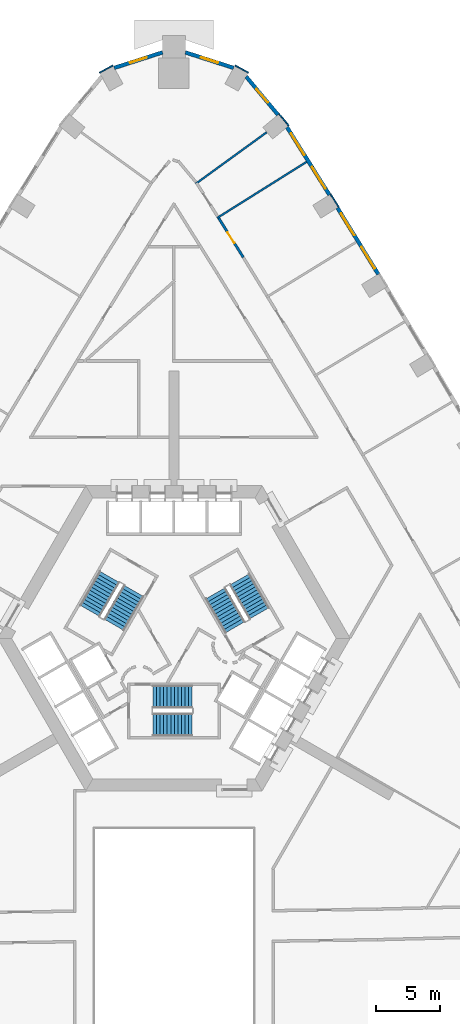
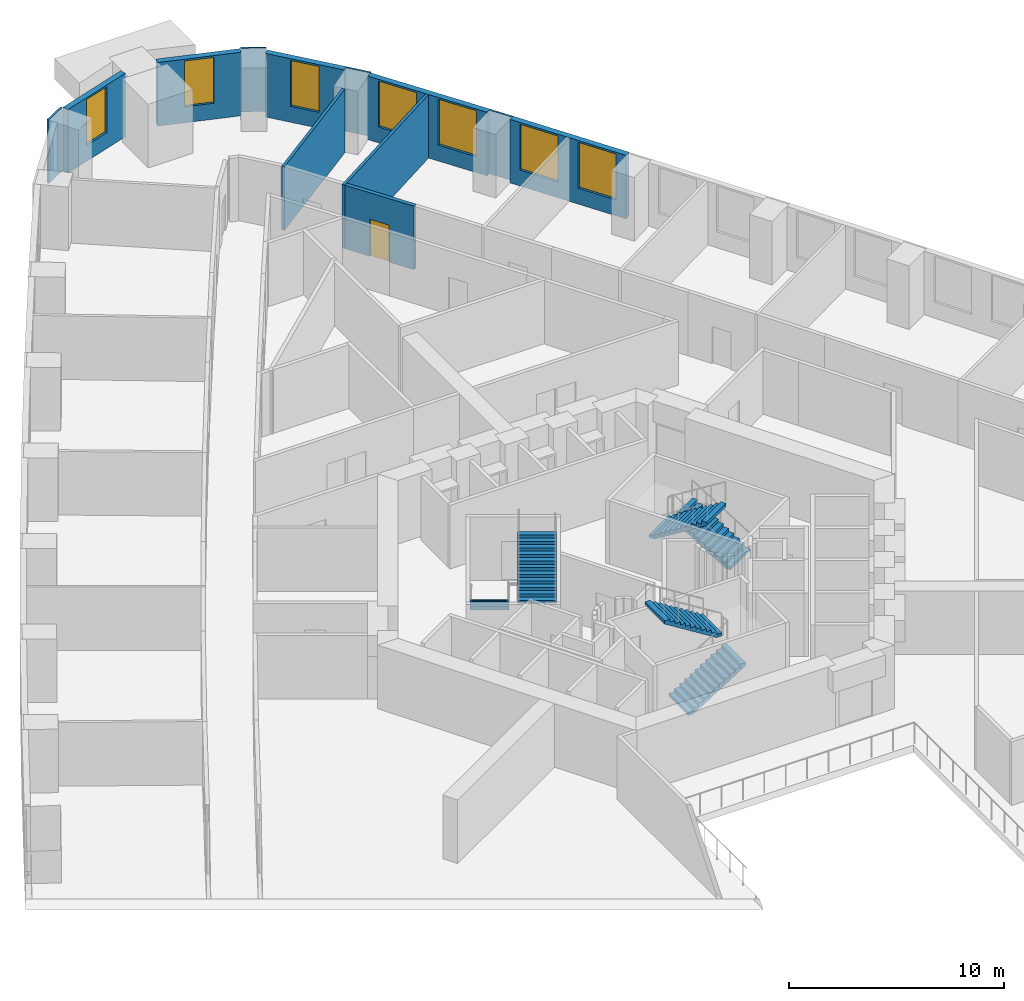
# One storey, part 12 of 15: 12 walls, 7 windows, 6 stair flights, 1 door, 8 openings, 3 elements without a shape of their own.
"""IFC4 building model written with IfcOpenShell, lengths in metres."""

import ifcopenshell
import ifcopenshell.guid

model = None  # the IFC model being written
_history = None  # IfcOwnerHistory: only IFC2X3 demands one
_inside = {}  # id of a spatial element -> (the spatial element, [elements in it])
_under = {}  # id of a project, library or spatial element -> (it, [spatial elements below it])
_declared = {}  # id of a project -> (the project, [libraries it declares])
_typed = {}  # id of a type object -> (the type object, [elements of that type])
_made_of = {}  # id of a material, layer set ... -> (it, [elements and type objects made of it])


def new_model(schema):
    """Start an empty IFC model of exactly this schema.

    Asked for "IFC4X3", IfcOpenShell would pick the latest addendum, in which some entities
    have other attributes; the version numbers below select the first issue.
    IFC2X3 requires an IfcOwnerHistory on every rooted entity: one is made here for all.
    """
    global model, _history
    if schema == "IFC4X3":
        model = ifcopenshell.file(schema_version=(4, 3, 0, 0))
    else:
        model = ifcopenshell.file(schema=schema)
    _inside.clear()
    _under.clear()
    _declared.clear()
    _typed.clear()
    _made_of.clear()
    _history = None
    if model.schema == "IFC2X3":
        org = make("IfcOrganization", Name="unknown")
        user = make(
            "IfcPersonAndOrganization",
            ThePerson=make("IfcPerson", FamilyName="unknown"),
            TheOrganization=org,
        )
        app = make(
            "IfcApplication",
            ApplicationDeveloper=org,
            Version="unknown",
            ApplicationFullName="unknown",
            ApplicationIdentifier="unknown",
        )
        _history = make(
            "IfcOwnerHistory",
            OwningUser=user,
            OwningApplication=app,
            ChangeAction="ADDED",
            CreationDate=0,
        )
    return model


def make(cls, **values):
    """One entity of the class cls with the attributes given. An attribute that is None is left unset."""
    return model.create_entity(
        cls, **{name: value for name, value in values.items() if value is not None}
    )


def rooted(cls, **values):
    """An entity with a GlobalId (a new one), such as an element, a storey or a relation."""
    return make(cls, GlobalId=ifcopenshell.guid.new(), OwnerHistory=_history, **values)


def si_unit(unit_type, name, prefix=None):
    """IfcSIUnit, for example si_unit("LENGTHUNIT", "METRE", prefix="MILLI")."""
    return make("IfcSIUnit", UnitType=unit_type, Prefix=prefix, Name=name)


def assignment(units):
    """IfcUnitAssignment: the units of a project."""
    return None if units is None else make("IfcUnitAssignment", Units=units)


def point(xyz):
    """IfcCartesianPoint."""
    return None if xyz is None else make("IfcCartesianPoint", Coordinates=xyz)


def direction(xyz):
    """IfcDirection."""
    return None if xyz is None else make("IfcDirection", DirectionRatios=xyz)


def frame(location, z_axis=None, x_axis=None):
    """IfcAxis2Placement3D, a coordinate frame: its origin and axes. An axis left out is left unset."""
    return make(
        "IfcAxis2Placement3D",
        Location=point(location),
        Axis=direction(z_axis),
        RefDirection=direction(x_axis),
    )


def frame_2d(location, x_axis=None):
    """IfcAxis2Placement2D, a coordinate frame in the plane: its origin and x axis."""
    return make(
        "IfcAxis2Placement2D", Location=point(location), RefDirection=direction(x_axis)
    )


def origin():
    """The frame at (0, 0, 0) with its axes left unset."""
    return frame((0.0, 0.0, 0.0))


def place(relative_to, where):
    """IfcLocalPlacement: puts the frame where relative to a parent placement (None: the world)."""
    return make(
        "IfcLocalPlacement", PlacementRelTo=relative_to, RelativePlacement=where
    )


def context(
    kind, dimensions, precision=None, world=None, true_north=None, identifier=None
):
    """IfcGeometricRepresentationContext, for example the 3D "Model" context."""
    return make(
        "IfcGeometricRepresentationContext",
        ContextIdentifier=identifier,
        ContextType=kind,
        CoordinateSpaceDimension=dimensions,
        Precision=precision,
        WorldCoordinateSystem=world,
        TrueNorth=true_north,
    )


def subcontext(parent, identifier, kind, view, scale=None):
    """IfcGeometricRepresentationSubContext, for example "Body" below "Model"."""
    return make(
        "IfcGeometricRepresentationSubContext",
        ContextIdentifier=identifier,
        ContextType=kind,
        ParentContext=parent,
        TargetScale=scale,
        TargetView=view,
    )


def project(units=None, contexts=None):
    """IfcProject with its units and contexts."""
    return rooted(
        "IfcProject",
        Name="project",
        RepresentationContexts=contexts,
        UnitsInContext=assignment(units),
    )


def spatial(cls, under=None, at=None, **own):
    """A site, building, storey or space (cls), placed at a placement, below another one or the project."""
    s = rooted(cls, ObjectPlacement=at, **own)
    if under is not None:
        _under.setdefault(under.id(), (under, []))[1].append(s)
    return s


def polyline(points):
    """IfcPolyline through the points."""
    return make("IfcPolyline", Points=[point(p) for p in points])


def profile(cls, at=None, kind="AREA", **sizes):
    """A parametric profile (cls). Its sizes go by their IFC names, for example OverallWidth=200.0."""
    return make(cls, ProfileType=kind, Position=at, **sizes)


def rectangle(**sizes):
    """IfcRectangleProfileDef."""
    return profile("IfcRectangleProfileDef", **sizes)


def outline(outer, holes=None, kind="AREA"):
    """IfcArbitraryClosedProfileDef: a profile drawn as a closed curve; with holes, ...WithVoids."""
    if holes is None:
        return make("IfcArbitraryClosedProfileDef", ProfileType=kind, OuterCurve=outer)
    return make(
        "IfcArbitraryProfileDefWithVoids",
        ProfileType=kind,
        OuterCurve=outer,
        InnerCurves=holes,
    )


def extrude(swept, where, along, depth):
    """IfcExtrudedAreaSolid: the profile swept, set in the frame where, extruded along a direction by depth."""
    return make(
        "IfcExtrudedAreaSolid",
        SweptArea=swept,
        Position=where,
        ExtrudedDirection=direction(along),
        Depth=depth,
    )


def shape(context_of_items, identifier, shape_type, items):
    """IfcShapeRepresentation: the items that make up one representation, for example the "Body"."""
    return make(
        "IfcShapeRepresentation",
        ContextOfItems=context_of_items,
        RepresentationIdentifier=identifier,
        RepresentationType=shape_type,
        Items=items,
    )


def material(Name=None, Category=None):
    """IfcMaterial."""
    return make("IfcMaterial", Name=Name, Category=Category)


def layer(
    of_material, thickness, ventilated=None, Name=None, Category=None, Priority=None
):
    """IfcMaterialLayer: one layer of a wall or slab, of a material (None: an air gap)."""
    return make(
        "IfcMaterialLayer",
        Material=of_material,
        LayerThickness=thickness,
        IsVentilated=ventilated,
        Name=Name,
        Category=Category,
        Priority=Priority,
    )


def layer_set(layers, Name=None):
    """IfcMaterialLayerSet."""
    return make("IfcMaterialLayerSet", MaterialLayers=layers, LayerSetName=Name)


def made_of(thing, what):
    """Note that an element or type object is made of a material, layer set ...; save() writes the relation."""
    if what is not None:
        _made_of.setdefault(what.id(), (what, []))[1].append(thing)
    return thing


def type_object(cls, material=None, **own):
    """A type object (cls), such as IfcWallType, which elements share."""
    return made_of(rooted(cls, **own), material)


def element(
    cls,
    number,
    at=None,
    inside=None,
    cuts=None,
    type_object=None,
    material=None,
    context=None,
    identifier="Body",
    shape_type=None,
    held_by="IfcProductDefinitionShape",
    body=None,
    shapes=None,
    **own,
):
    """One element of the class cls, such as IfcWall. Its Tag is "e" and its number.

    at: its placement. inside: the storey or other place that contains it. cuts: it is an
    opening in that element (IfcRelVoidsElement). A single representation is given by context,
    identifier, shape_type and body (its items); several are given by shapes. held_by: the class
    of the entity that holds the representations. save() writes the other relations.
    """
    e = rooted(cls, Tag="e%d" % number, ObjectPlacement=at, **own)
    if body is not None:
        shapes = [shape(context, identifier, shape_type, body)]
    if shapes is not None:
        e.Representation = make(held_by, Representations=shapes)
    if inside is not None:
        _inside.setdefault(inside.id(), (inside, []))[1].append(e)
    if cuts is not None:
        rooted(
            "IfcRelVoidsElement", RelatingBuildingElement=cuts, RelatedOpeningElement=e
        )
    if type_object is not None:
        _typed.setdefault(type_object.id(), (type_object, []))[1].append(e)
    return made_of(e, material)


def fill(opening, filler):
    """IfcRelFillsElement: the door or window that sits in an opening."""
    return rooted(
        "IfcRelFillsElement",
        RelatingOpeningElement=opening,
        RelatedBuildingElement=filler,
    )


def aggregate(whole, parts):
    """IfcRelAggregates: a whole, such as a stair, and the parts it consists of."""
    return rooted("IfcRelAggregates", RelatingObject=whole, RelatedObjects=parts)


def save(model, path):
    """Write the relations noted so far, then the file.

    IfcRelAggregates (storeys below a building ...), IfcRelContainedInSpatialStructure (elements
    in a storey), IfcRelDefinesByType, IfcRelAssociatesMaterial and IfcRelDeclares: one each for
    every whole, place, type object, material and project.
    """
    for whole, parts in _under.values():
        aggregate(whole, parts)
    for where, things in _inside.values():
        rooted(
            "IfcRelContainedInSpatialStructure",
            RelatedElements=things,
            RelatingStructure=where,
        )
    for kind, things in _typed.values():
        rooted("IfcRelDefinesByType", RelatedObjects=things, RelatingType=kind)
    for what, things in _made_of.values():
        rooted("IfcRelAssociatesMaterial", RelatedObjects=things, RelatingMaterial=what)
    for by, libraries in _declared.values():
        rooted("IfcRelDeclares", RelatingContext=by, RelatedDefinitions=libraries)
    model.write(path)


model = new_model("IFC4")

# Units and contexts
model_context = context("Model", 3, precision=1e-05, world=origin(), true_north=direction((0.0, 1.0)))
body_context = subcontext(model_context, "Body", "Model", "MODEL_VIEW")
ifc_project = project(units=[si_unit("LENGTHUNIT", "METRE"), si_unit("AREAUNIT", "SQUARE_METRE"), si_unit("VOLUMEUNIT", "CUBIC_METRE"), si_unit("PLANEANGLEUNIT", "RADIAN"), si_unit("MASSUNIT", "GRAM", prefix="KILO")], contexts=[model_context])

# Site, building, storey
site_placement = place(None, origin())
site = spatial("IfcSite", under=ifc_project, at=site_placement, CompositionType="ELEMENT")
building_placement = place(site_placement, origin())
building = spatial("IfcBuilding", under=site, at=building_placement, Name="Entoto Arch Interchange Tower", CompositionType="ELEMENT")
storey_placement = place(building_placement, frame((0.0, 0.0, 77.0)))
storey = spatial("IfcBuildingStorey", under=building, at=storey_placement, Name="L16", CompositionType="ELEMENT", Elevation=77.0)

# Walls
ifc_material_1 = material(Name="Gypsum board partition on steel studs", Category="steel")
ifc_layer_1 = layer(ifc_material_1, 0.14990234375)
ifc_layer_set_1 = layer_set([ifc_layer_1], Name="Gypsum board partition on steel studs")
wall_type_1 = type_object("IfcWallType", Name="PARTITION 150", PredefinedType="PARTITIONING", material=ifc_layer_set_1)
wall_1_placement = place(storey_placement, frame((3.39306640625, 35.54296875, 0.0), z_axis=(0.0, 0.0, 1.0), x_axis=(0.847089858839, 0.531449688166, 0.0)))
element("IfcWall", 1, at=wall_1_placement, inside=storey, type_object=wall_type_1, Name="wall:L16:p140", PredefinedType="PARTITIONING", context=body_context, shape_type="SweptSolid", body=[
    extrude(rectangle(XDim=8.30029296875, YDim=0.14990234375, at=frame_2d((4.150146484375, 0.0))), origin(), (0.0, 0.0, 1.0), 3.60009765625),
])
wall_2_placement = place(storey_placement, frame((1.7080078125, 38.22998046875, 0.0), z_axis=(0.0, 0.0, 1.0), x_axis=(0.809349578957, 0.58732721633, 0.0)))
element("IfcWall", 2, at=wall_2_placement, inside=storey, type_object=wall_type_1, Name="wall:L16:p141", PredefinedType="PARTITIONING", context=body_context, shape_type="SweptSolid", body=[
    extrude(rectangle(XDim=6.895751953125, YDim=0.14990234375, at=frame_2d((3.44775390625, 0.0))), origin(), (0.0, 0.0, 1.0), 3.60009765625),
])

# Wall, opening, door
ifc_layer_2 = layer(ifc_material_1, 0.199951171875)
ifc_layer_set_2 = layer_set([ifc_layer_2], Name="Gypsum board partition on steel studs")
wall_type_2 = type_object("IfcWallType", Name="PARTITION 200", PredefinedType="PARTITIONING", material=ifc_layer_set_2)
wall_3_placement = place(storey_placement, frame((3.51708984375, 35.532958984375, 0.0), z_axis=(0.0, 0.0, 1.0), x_axis=(0.531301282969, -0.847182947607, 0.0)))
wall_3 = element("IfcWall", 3, at=wall_3_placement, inside=storey, type_object=wall_type_2, Name="wall:L16:p054", PredefinedType="PARTITIONING", context=body_context, shape_type="SweptSolid", body=[
    extrude(rectangle(XDim=3.637939453125, YDim=0.199951171875, at=frame_2d((1.81884765625, 0.0))), origin(), (0.0, 0.0, 1.0), 3.60009765625),
])
opening_1_placement = place(wall_3_placement, frame((1.319091796875, 0.0, 0.0)))
opening_1 = element("IfcOpeningElement", 4, at=opening_1_placement, cuts=wall_3, Name="Opening L16-D09", PredefinedType="OPENING", context=body_context, shape_type="SweptSolid", body=[
    extrude(rectangle(XDim=1.0, YDim=2.10009765625, at=frame_2d((0.5, 1.050048828125))), frame((0.0, 0.10986328125, 0.0), z_axis=(0.0, -1.0, 0.0), x_axis=(1.0, 0.0, 0.0)), (0.0, 0.0, 1.0), 0.219970703125),
])
ifc_material_2 = material(Name="Timber door leaf in Steel S235 frame", Category="steel")
door_type = type_object("IfcDoorType", Name="DOOR DS-10 1000x2100", OperationType="SINGLE_SWING_LEFT", PredefinedType="DOOR", material=ifc_material_2)
door_placement = place(opening_1_placement, origin())
door = element("IfcDoor", 5, at=door_placement, inside=storey, type_object=door_type, Name="door:L16:09", OperationType="SINGLE_SWING_LEFT", OverallHeight=2.10009765625, OverallWidth=1.0, PredefinedType="DOOR", context=body_context, shape_type="SweptSolid", body=[
    extrude(rectangle(XDim=1.0, YDim=2.10009765625, at=frame_2d((0.5, 1.050048828125))), frame((0.0, 0.02490234375, 0.0), z_axis=(0.0, -1.0, 0.0), x_axis=(1.0, 0.0, 0.0)), (0.0, 0.0, 1.0), 0.050048828125),
])
fill(opening_1, door)

# Wall, openings, windows
ifc_material_3 = material(Name="Welded tuff (ignimbrite) cladding, warm buff", Category="masonry")
ifc_layer_3 = layer(ifc_material_3, 0.300048828125)
ifc_layer_set_3 = layer_set([ifc_layer_3], Name="Welded tuff (ignimbrite) cladding, warm buff")
wall_type_3 = type_object("IfcWallType", Name="STONE INFILL WALL 300", PredefinedType="STANDARD", material=ifc_layer_set_3)
wall_4_placement = place(storey_placement, frame((16.06689453125, 31.1201171875, 0.0), z_axis=(0.0, 0.0, 1.0), x_axis=(-0.523421823151, 0.852073702827, 0.0)))
wall_4 = element("IfcWall", 6, at=wall_4_placement, inside=storey, type_object=wall_type_3, Name="Facade wall NE-08 L16", PredefinedType="STANDARD", context=body_context, shape_type="SweptSolid", body=[
    extrude(rectangle(XDim=6.130859375, YDim=0.300048828125, at=frame_2d((3.0654296875, 0.0))), origin(), (0.0, 0.0, 1.0), 3.60009765625),
])
opening_2_placement = place(wall_4_placement, frame((0.532958984375, 0.0, 0.89990234375)))
opening_2 = element("IfcOpeningElement", 7, at=opening_2_placement, cuts=wall_4, Name="Opening WO-C", PredefinedType="OPENING", context=body_context, shape_type="SweptSolid", body=[
    extrude(rectangle(XDim=2.0, YDim=2.60009765625, at=frame_2d((1.0, 1.300048828125))), frame((0.0, 0.16015625, 0.0), z_axis=(0.0, -1.0, 0.0), x_axis=(1.0, 0.0, 0.0)), (0.0, 0.0, 1.0), 0.320068359375),
])
opening_3_placement = place(wall_4_placement, frame((3.597900390625, 0.0, 0.89990234375)))
opening_3 = element("IfcOpeningElement", 8, at=opening_3_placement, cuts=wall_4, Name="Opening WO-C", PredefinedType="OPENING", context=body_context, shape_type="SweptSolid", body=[
    extrude(rectangle(XDim=2.0, YDim=2.60009765625, at=frame_2d((1.0, 1.300048828125))), frame((0.0, 0.16015625, 0.0), z_axis=(0.0, -1.0, 0.0), x_axis=(1.0, 0.0, 0.0)), (0.0, 0.0, 1.0), 0.320068359375),
])
ifc_material_4 = material(Name="Clear glass, low-e double glazed", Category="glass")
window_type_1 = type_object("IfcWindowType", Name="WINDOW WO-C 2000x2600", PartitioningType="DOUBLE_PANEL_VERTICAL", PredefinedType="WINDOW", material=ifc_material_4)
window_1_placement = place(opening_2_placement, origin())
window_1 = element("IfcWindow", 9, at=window_1_placement, inside=storey, type_object=window_type_1, Name="Window WO-C NE-08 L16", OverallHeight=2.60009765625, OverallWidth=2.0, PartitioningType="SINGLE_PANEL", PredefinedType="WINDOW", context=body_context, shape_type="SweptSolid", body=[
    extrude(rectangle(XDim=2.0, YDim=2.60009765625, at=frame_2d((1.0, 1.300048828125))), frame((0.0, 0.030029296875, 0.0), z_axis=(0.0, -1.0, 0.0), x_axis=(1.0, 0.0, 0.0)), (0.0, 0.0, 1.0), 0.06005859375),
])
fill(opening_2, window_1)
window_2_placement = place(opening_3_placement, origin())
window_2 = element("IfcWindow", 10, at=window_2_placement, inside=storey, type_object=window_type_1, Name="Window WO-C NE-08 L16", OverallHeight=2.60009765625, OverallWidth=2.0, PartitioningType="SINGLE_PANEL", PredefinedType="WINDOW", context=body_context, shape_type="SweptSolid", body=[
    extrude(rectangle(XDim=2.0, YDim=2.60009765625, at=frame_2d((1.0, 1.300048828125))), frame((0.0, 0.030029296875, 0.0), z_axis=(0.0, -1.0, 0.0), x_axis=(1.0, 0.0, 0.0)), (0.0, 0.0, 1.0), 0.06005859375),
])
fill(opening_3, window_2)

wall_5_placement = place(storey_placement, frame((12.22705078125, 37.362060546875, 0.0), z_axis=(0.0, 0.0, 1.0), x_axis=(-0.531357111884, 0.847147932565, 0.0)))
wall_5 = element("IfcWall", 11, at=wall_5_placement, inside=storey, type_object=wall_type_3, Name="Facade wall NE-09 L16", PredefinedType="STANDARD", context=body_context, shape_type="SweptSolid", body=[
    extrude(rectangle(XDim=6.2822265625, YDim=0.300048828125, at=frame_2d((3.14111328125, 0.0))), origin(), (0.0, 0.0, 1.0), 3.60009765625),
])
opening_4_placement = place(wall_5_placement, frame((0.571044921875, 0.0, 0.89990234375)))
opening_4 = element("IfcOpeningElement", 12, at=opening_4_placement, cuts=wall_5, Name="Opening WO-C", PredefinedType="OPENING", context=body_context, shape_type="SweptSolid", body=[
    extrude(rectangle(XDim=2.0, YDim=2.60009765625, at=frame_2d((1.0, 1.300048828125))), frame((0.0, 0.16015625, 0.0), z_axis=(0.0, -1.0, 0.0), x_axis=(1.0, 0.0, 0.0)), (0.0, 0.0, 1.0), 0.320068359375),
])
opening_5_placement = place(wall_5_placement, frame((3.7119140625, 0.0, 0.89990234375)))
opening_5 = element("IfcOpeningElement", 13, at=opening_5_placement, cuts=wall_5, Name="Opening WO-C", PredefinedType="OPENING", context=body_context, shape_type="SweptSolid", body=[
    extrude(rectangle(XDim=2.0, YDim=2.60009765625, at=frame_2d((1.0, 1.300048828125))), frame((0.0, 0.16015625, 0.0), z_axis=(0.0, -1.0, 0.0), x_axis=(1.0, 0.0, 0.0)), (0.0, 0.0, 1.0), 0.320068359375),
])
window_3_placement = place(opening_4_placement, origin())
window_3 = element("IfcWindow", 14, at=window_3_placement, inside=storey, type_object=window_type_1, Name="Window WO-C NE-09 L16", OverallHeight=2.60009765625, OverallWidth=2.0, PartitioningType="SINGLE_PANEL", PredefinedType="WINDOW", context=body_context, shape_type="SweptSolid", body=[
    extrude(rectangle(XDim=2.0, YDim=2.60009765625, at=frame_2d((1.0, 1.300048828125))), frame((0.0, 0.030029296875, 0.0), z_axis=(0.0, -1.0, 0.0), x_axis=(1.0, 0.0, 0.0)), (0.0, 0.0, 1.0), 0.06005859375),
])
fill(opening_4, window_3)
window_4_placement = place(opening_5_placement, origin())
window_4 = element("IfcWindow", 15, at=window_4_placement, inside=storey, type_object=window_type_1, Name="Window WO-C NE-09 L16", OverallHeight=2.60009765625, OverallWidth=2.0, PartitioningType="SINGLE_PANEL", PredefinedType="WINDOW", context=body_context, shape_type="SweptSolid", body=[
    extrude(rectangle(XDim=2.0, YDim=2.60009765625, at=frame_2d((1.0, 1.300048828125))), frame((0.0, 0.030029296875, 0.0), z_axis=(0.0, -1.0, 0.0), x_axis=(1.0, 0.0, 0.0)), (0.0, 0.0, 1.0), 0.06005859375),
])
fill(opening_5, window_4)

# Wall, opening, window
wall_6_placement = place(storey_placement, frame((8.18505859375, 43.656005859375, 0.0), z_axis=(0.0, 0.0, 1.0), x_axis=(-0.640565172846, 0.767903808649, 0.0)))
wall_6 = element("IfcWall", 16, at=wall_6_placement, inside=storey, type_object=wall_type_3, Name="Facade wall N-01 L16", PredefinedType="STANDARD", context=body_context, shape_type="SweptSolid", body=[
    extrude(rectangle(XDim=3.9091796875, YDim=0.300048828125, at=frame_2d((1.95458984375, 0.0))), origin(), (0.0, 0.0, 1.0), 3.60009765625),
])
opening_6_placement = place(wall_6_placement, frame((1.2548828125, 0.0, 0.89990234375)))
opening_6 = element("IfcOpeningElement", 17, at=opening_6_placement, cuts=wall_6, Name="Opening WO-B", PredefinedType="OPENING", context=body_context, shape_type="SweptSolid", body=[
    extrude(rectangle(XDim=1.39990234375, YDim=2.60009765625, at=frame_2d((0.699951171875, 1.300048828125))), frame((0.0, 0.16015625, 0.0), z_axis=(0.0, -1.0, 0.0), x_axis=(1.0, 0.0, 0.0)), (0.0, 0.0, 1.0), 0.320068359375),
])
window_type_2 = type_object("IfcWindowType", Name="WINDOW WO-B 1400x2600", PartitioningType="DOUBLE_PANEL_VERTICAL", PredefinedType="WINDOW", material=ifc_material_4)
window_5_placement = place(opening_6_placement, origin())
window_5 = element("IfcWindow", 18, at=window_5_placement, inside=storey, type_object=window_type_2, Name="Window WO-B N-01 L16", OverallHeight=2.60009765625, OverallWidth=1.39990234375, PartitioningType="SINGLE_PANEL", PredefinedType="WINDOW", context=body_context, shape_type="SweptSolid", body=[
    extrude(rectangle(XDim=1.39990234375, YDim=2.60009765625, at=frame_2d((0.699951171875, 1.300048828125))), frame((0.0, 0.030029296875, 0.0), z_axis=(0.0, -1.0, 0.0), x_axis=(1.0, 0.0, 0.0)), (0.0, 0.0, 1.0), 0.06005859375),
])
fill(opening_6, window_5)

wall_7_placement = place(storey_placement, frame((4.69189453125, 47.345947265625, 0.0), z_axis=(0.0, 0.0, 1.0), x_axis=(-0.95225533311, 0.30530276868, 0.0)))
wall_7 = element("IfcWall", 19, at=wall_7_placement, inside=storey, type_object=wall_type_3, Name="Facade wall N-02 L16", PredefinedType="STANDARD", context=body_context, shape_type="SweptSolid", body=[
    extrude(rectangle(XDim=3.983154296875, YDim=0.300048828125, at=frame_2d((1.99169921875, 0.0))), origin(), (0.0, 0.0, 1.0), 3.60009765625),
])
opening_7_placement = place(wall_7_placement, frame((1.2919921875, 0.0, 0.89990234375)))
opening_7 = element("IfcOpeningElement", 20, at=opening_7_placement, cuts=wall_7, Name="Opening WO-B", PredefinedType="OPENING", context=body_context, shape_type="SweptSolid", body=[
    extrude(rectangle(XDim=1.39990234375, YDim=2.60009765625, at=frame_2d((0.699951171875, 1.300048828125))), frame((0.0, 0.16015625, 0.0), z_axis=(0.0, -1.0, 0.0), x_axis=(1.0, 0.0, 0.0)), (0.0, 0.0, 1.0), 0.320068359375),
])
window_6_placement = place(opening_7_placement, origin())
window_6 = element("IfcWindow", 21, at=window_6_placement, inside=storey, type_object=window_type_2, Name="Window WO-B N-02 L16", OverallHeight=2.60009765625, OverallWidth=1.39990234375, PartitioningType="SINGLE_PANEL", PredefinedType="WINDOW", context=body_context, shape_type="SweptSolid", body=[
    extrude(rectangle(XDim=1.39990234375, YDim=2.60009765625, at=frame_2d((0.699951171875, 1.300048828125))), frame((0.0, 0.030029296875, 0.0), z_axis=(0.0, -1.0, 0.0), x_axis=(1.0, 0.0, 0.0)), (0.0, 0.0, 1.0), 0.06005859375),
])
fill(opening_7, window_6)

wall_8_placement = place(storey_placement, frame((-0.89892578125, 48.56201171875, 0.0), z_axis=(0.0, 0.0, 1.0), x_axis=(-0.95225533311, -0.30530276868, 0.0)))
wall_8 = element("IfcWall", 22, at=wall_8_placement, inside=storey, type_object=wall_type_3, Name="Facade wall N-03 L16", PredefinedType="STANDARD", context=body_context, shape_type="SweptSolid", body=[
    extrude(rectangle(XDim=3.983154296875, YDim=0.300048828125, at=frame_2d((1.99169921875, 0.0))), origin(), (0.0, 0.0, 1.0), 3.60009765625),
])
opening_8_placement = place(wall_8_placement, frame((1.2919921875, 0.0, 0.89990234375)))
opening_8 = element("IfcOpeningElement", 23, at=opening_8_placement, cuts=wall_8, Name="Opening WO-B", PredefinedType="OPENING", context=body_context, shape_type="SweptSolid", body=[
    extrude(rectangle(XDim=1.39990234375, YDim=2.60009765625, at=frame_2d((0.699951171875, 1.300048828125))), frame((0.0, 0.16015625, 0.0), z_axis=(0.0, -1.0, 0.0), x_axis=(1.0, 0.0, 0.0)), (0.0, 0.0, 1.0), 0.320068359375),
])
window_7_placement = place(opening_8_placement, origin())
window_7 = element("IfcWindow", 24, at=window_7_placement, inside=storey, type_object=window_type_2, Name="Window WO-B N-03 L16", OverallHeight=2.60009765625, OverallWidth=1.39990234375, PartitioningType="SINGLE_PANEL", PredefinedType="WINDOW", context=body_context, shape_type="SweptSolid", body=[
    extrude(rectangle(XDim=1.39990234375, YDim=2.60009765625, at=frame_2d((0.699951171875, 1.300048828125))), frame((0.0, 0.030029296875, 0.0), z_axis=(0.0, -1.0, 0.0), x_axis=(1.0, 0.0, 0.0)), (0.0, 0.0, 1.0), 0.06005859375),
])
fill(opening_8, window_7)

# Walls
ifc_layer_4 = layer(ifc_material_3, 0.10009765625)
ifc_layer_set_4 = layer_set([ifc_layer_4], Name="Welded tuff (ignimbrite) cladding, warm buff")
wall_type_4 = type_object("IfcWallType", Name="STONE PIER CLADDING 100", PredefinedType="STANDARD", material=ifc_layer_set_4)
for number, where, z_axis, x_axis, name in (
    (25, (5.847900390625, 46.9619140625, 0.0), (0.0, 0.0, 1.0), (-0.877069725045, 0.480363089141, 0.0), "Stone pier N1 L16"),
    (26, (-4.7958984375, 47.5380859375, 0.0), (0.0, 0.0, 1.0), (-0.877069725045, -0.480363089141, 0.0), "Stone pier N3 L16"),
    (27, (12.947998046875, 36.39892578125, 0.0), (0.0, 0.0, 1.0), (-0.53018187123, 0.847883944546, 0.0), "Stone pier NE09 L16"),
    (28, (9.028076171875, 42.798095703125, 0.0), (0.0, 0.0, 1.0), (-0.637859244555, 0.770152961518, 0.0), "Stone pier NE10 L16"),
):
    element("IfcWall", number, at=place(storey_placement, frame(where, z_axis=z_axis, x_axis=x_axis)), inside=storey, type_object=wall_type_4, Name=name, PredefinedType="STANDARD", context=body_context, shape_type="SweptSolid", body=[
        extrude(rectangle(XDim=1.199462890625, YDim=0.10009765625, at=frame_2d((0.599609375, 0.0))), origin(), (0.0, 0.0, 1.0), 3.60009765625),
    ])

# Stair, stair flights
ifc_material_5 = material(Name="Concrete C40/50", Category="concrete")
stair_type = type_object("IfcStairType", Name="EXIT STAIR RC 1800", PredefinedType="HALF_TURN_STAIR", material=ifc_material_5)
stair_1_placement = place(storey_placement, origin())
stair_1 = element("IfcStair", 29, at=stair_1_placement, inside=storey, type_object=stair_type, Name="L16 Exit stair S", PredefinedType="HALF_TURN_STAIR")
stair_flight_type = type_object("IfcStairFlightType", Name="EXIT STAIR FLIGHT RC 1800", PredefinedType="STRAIGHT", material=ifc_material_5)
stair_flight_1_placement = place(storey_placement, frame((-1.64990234375, -4.300048828125, 0.0), z_axis=(0.0, 0.0, 1.0), x_axis=(1.0, 0.0, 0.0)))
stair_flight_1 = element("IfcStairFlight", 30, at=stair_flight_1_placement, type_object=stair_flight_type, Name="ST-S flight 1", NumberOfRisers=12, NumberOfTreads=11, PredefinedType="STRAIGHT", RiserHeight=0.175, TreadLength=0.28, context=body_context, shape_type="SweptSolid", body=[
    extrude(outline(polyline([(-0.0029296875, 0.0), (-0.0029296875, 0.175048828125), (0.280029296875, 0.175048828125), (0.280029296875, 0.35009765625), (0.56005859375, 0.35009765625), (0.56005859375, 0.52490234375), (0.840087890625, 0.52490234375), (0.840087890625, 0.699951171875), (1.1201171875, 0.699951171875), (1.1201171875, 0.875), (1.39990234375, 0.875), (1.39990234375, 1.050048828125), (1.679931640625, 1.050048828125), (1.679931640625, 1.22509765625), (1.9599609375, 1.22509765625), (1.9599609375, 1.39990234375), (2.239990234375, 1.39990234375), (2.239990234375, 1.574951171875), (2.52001953125, 1.574951171875), (2.52001953125, 1.75), (2.800048828125, 1.75), (2.800048828125, 1.925048828125), (3.080078125, 1.925048828125), (3.0830078125, 1.925048828125), (3.0830078125, 1.75), (0.28271484375, 0.0), (-0.0029296875, 0.0)])), frame((0.0, 0.89990234375, 0.0), z_axis=(0.0, -1.0, 0.0), x_axis=(1.0, 0.0, 0.0)), (0.0, 0.0, 1.0), 1.800048828125),
])
stair_flight_2_placement = place(storey_placement, frame((1.429931640625, -2.10009765625, 2.10009765625), z_axis=(0.0, 0.0, 1.0), x_axis=(-1.0, 0.0, 0.0)))
stair_flight_2 = element("IfcStairFlight", 31, at=stair_flight_2_placement, type_object=stair_flight_type, Name="ST-S flight 2", NumberOfRisers=12, NumberOfTreads=11, PredefinedType="STRAIGHT", RiserHeight=0.175, TreadLength=0.28, context=body_context, shape_type="SweptSolid", body=[
    extrude(outline(polyline([(-0.0029296875, 0.0), (-0.0029296875, 0.175048828125), (0.280029296875, 0.175048828125), (0.280029296875, 0.35009765625), (0.56005859375, 0.35009765625), (0.56005859375, 0.52490234375), (0.840087890625, 0.52490234375), (0.840087890625, 0.699951171875), (1.1201171875, 0.699951171875), (1.1201171875, 0.875), (1.39990234375, 0.875), (1.39990234375, 1.050048828125), (1.679931640625, 1.050048828125), (1.679931640625, 1.22509765625), (1.9599609375, 1.22509765625), (1.9599609375, 1.39990234375), (2.239990234375, 1.39990234375), (2.239990234375, 1.574951171875), (2.52001953125, 1.574951171875), (2.52001953125, 1.75), (2.800048828125, 1.75), (2.800048828125, 1.925048828125), (3.080078125, 1.925048828125), (3.0830078125, 1.925048828125), (3.0830078125, 1.75), (0.28271484375, 0.0), (-0.0029296875, 0.0)])), frame((0.0, 0.89990234375, 0.0), z_axis=(0.0, -1.0, 0.0), x_axis=(1.0, 0.0, 0.0)), (0.0, 0.0, 1.0), 1.800048828125),
])
aggregate(stair_1, [stair_flight_1, stair_flight_2])

stair_2_placement = place(storey_placement, origin())
stair_2 = element("IfcStair", 32, at=stair_2_placement, inside=storey, type_object=stair_type, Name="L16 Exit stair NE", PredefinedType="HALF_TURN_STAIR")
stair_flight_3_placement = place(storey_placement, frame((6.7138671875, 4.470947265625, 0.0), z_axis=(0.0, 0.0, 1.0), x_axis=(-0.5, 0.866025403784, 0.0)))
stair_flight_3 = element("IfcStairFlight", 33, at=stair_flight_3_placement, type_object=stair_flight_type, Name="ST-NE flight 1", NumberOfRisers=12, NumberOfTreads=11, PredefinedType="STRAIGHT", RiserHeight=0.175, TreadLength=0.28, context=body_context, shape_type="SweptSolid", body=[
    extrude(outline(polyline([(-0.0029296875, 0.0), (-0.0029296875, 0.175048828125), (0.280029296875, 0.175048828125), (0.280029296875, 0.35009765625), (0.56005859375, 0.35009765625), (0.56005859375, 0.52490234375), (0.840087890625, 0.52490234375), (0.840087890625, 0.699951171875), (1.1201171875, 0.699951171875), (1.1201171875, 0.875), (1.39990234375, 0.875), (1.39990234375, 1.050048828125), (1.679931640625, 1.050048828125), (1.679931640625, 1.22509765625), (1.9599609375, 1.22509765625), (1.9599609375, 1.39990234375), (2.239990234375, 1.39990234375), (2.239990234375, 1.574951171875), (2.52001953125, 1.574951171875), (2.52001953125, 1.75), (2.800048828125, 1.75), (2.800048828125, 1.925048828125), (3.080078125, 1.925048828125), (3.0830078125, 1.925048828125), (3.0830078125, 1.75), (0.28271484375, 0.0), (-0.0029296875, 0.0)])), frame((0.0, 0.89990234375, 0.0), z_axis=(0.0, -1.0, 0.0), x_axis=(1.0, 0.0, 0.0)), (0.0, 0.0, 1.0), 1.800048828125),
])
stair_flight_4_placement = place(storey_placement, frame((3.268798828125, 6.038330078125, 2.10009765625), z_axis=(0.0, 0.0, 1.0), x_axis=(0.5, -0.866025403784, 0.0)))
stair_flight_4 = element("IfcStairFlight", 34, at=stair_flight_4_placement, type_object=stair_flight_type, Name="ST-NE flight 2", NumberOfRisers=12, NumberOfTreads=11, PredefinedType="STRAIGHT", RiserHeight=0.175, TreadLength=0.28, context=body_context, shape_type="SweptSolid", body=[
    extrude(outline(polyline([(-0.0029296875, 0.0), (-0.0029296875, 0.175048828125), (0.280029296875, 0.175048828125), (0.280029296875, 0.35009765625), (0.56005859375, 0.35009765625), (0.56005859375, 0.52490234375), (0.840087890625, 0.52490234375), (0.840087890625, 0.699951171875), (1.1201171875, 0.699951171875), (1.1201171875, 0.875), (1.39990234375, 0.875), (1.39990234375, 1.050048828125), (1.679931640625, 1.050048828125), (1.679931640625, 1.22509765625), (1.9599609375, 1.22509765625), (1.9599609375, 1.39990234375), (2.239990234375, 1.39990234375), (2.239990234375, 1.574951171875), (2.52001953125, 1.574951171875), (2.52001953125, 1.75), (2.800048828125, 1.75), (2.800048828125, 1.925048828125), (3.080078125, 1.925048828125), (3.0830078125, 1.925048828125), (3.0830078125, 1.75), (0.28271484375, 0.0), (-0.0029296875, 0.0)])), frame((0.0, 0.89990234375, 0.0), z_axis=(0.0, -1.0, 0.0), x_axis=(1.0, 0.0, 0.0)), (0.0, 0.0, 1.0), 1.800048828125),
])
aggregate(stair_2, [stair_flight_3, stair_flight_4])

stair_3_placement = place(storey_placement, origin())
stair_3 = element("IfcStair", 35, at=stair_3_placement, inside=storey, type_object=stair_type, Name="L16 Exit stair NW", PredefinedType="HALF_TURN_STAIR")
stair_flight_5_placement = place(storey_placement, frame((-5.06396484375, 7.328857421875, 0.0), z_axis=(0.0, 0.0, 1.0), x_axis=(-0.5, -0.866025403784, 0.0)))
stair_flight_5 = element("IfcStairFlight", 36, at=stair_flight_5_placement, type_object=stair_flight_type, Name="ST-NW flight 1", NumberOfRisers=12, NumberOfTreads=11, PredefinedType="STRAIGHT", RiserHeight=0.175, TreadLength=0.28, context=body_context, shape_type="SweptSolid", body=[
    extrude(outline(polyline([(-0.0029296875, 0.0), (-0.0029296875, 0.175048828125), (0.280029296875, 0.175048828125), (0.280029296875, 0.35009765625), (0.56005859375, 0.35009765625), (0.56005859375, 0.52490234375), (0.840087890625, 0.52490234375), (0.840087890625, 0.699951171875), (1.1201171875, 0.699951171875), (1.1201171875, 0.875), (1.39990234375, 0.875), (1.39990234375, 1.050048828125), (1.679931640625, 1.050048828125), (1.679931640625, 1.22509765625), (1.9599609375, 1.22509765625), (1.9599609375, 1.39990234375), (2.239990234375, 1.39990234375), (2.239990234375, 1.574951171875), (2.52001953125, 1.574951171875), (2.52001953125, 1.75), (2.800048828125, 1.75), (2.800048828125, 1.925048828125), (3.080078125, 1.925048828125), (3.0830078125, 1.925048828125), (3.0830078125, 1.75), (0.28271484375, 0.0), (-0.0029296875, 0.0)])), frame((0.0, 0.89990234375, 0.0), z_axis=(0.0, -1.0, 0.0), x_axis=(1.0, 0.0, 0.0)), (0.0, 0.0, 1.0), 1.800048828125),
])
stair_flight_6_placement = place(storey_placement, frame((-4.69873046875, 3.5615234375, 2.10009765625), z_axis=(0.0, 0.0, 1.0), x_axis=(0.5, 0.866025403784, 0.0)))
stair_flight_6 = element("IfcStairFlight", 37, at=stair_flight_6_placement, type_object=stair_flight_type, Name="ST-NW flight 2", NumberOfRisers=12, NumberOfTreads=11, PredefinedType="STRAIGHT", RiserHeight=0.175, TreadLength=0.28, context=body_context, shape_type="SweptSolid", body=[
    extrude(outline(polyline([(-0.0029296875, 0.0), (-0.0029296875, 0.175048828125), (0.280029296875, 0.175048828125), (0.280029296875, 0.35009765625), (0.56005859375, 0.35009765625), (0.56005859375, 0.52490234375), (0.840087890625, 0.52490234375), (0.840087890625, 0.699951171875), (1.1201171875, 0.699951171875), (1.1201171875, 0.875), (1.39990234375, 0.875), (1.39990234375, 1.050048828125), (1.679931640625, 1.050048828125), (1.679931640625, 1.22509765625), (1.9599609375, 1.22509765625), (1.9599609375, 1.39990234375), (2.239990234375, 1.39990234375), (2.239990234375, 1.574951171875), (2.52001953125, 1.574951171875), (2.52001953125, 1.75), (2.800048828125, 1.75), (2.800048828125, 1.925048828125), (3.080078125, 1.925048828125), (3.0830078125, 1.925048828125), (3.0830078125, 1.75), (0.28271484375, 0.0), (-0.0029296875, 0.0)])), frame((0.0, 0.89990234375, 0.0), z_axis=(0.0, -1.0, 0.0), x_axis=(1.0, 0.0, 0.0)), (0.0, 0.0, 1.0), 1.800048828125),
])
aggregate(stair_3, [stair_flight_5, stair_flight_6])

save(model, "model.ifc")
